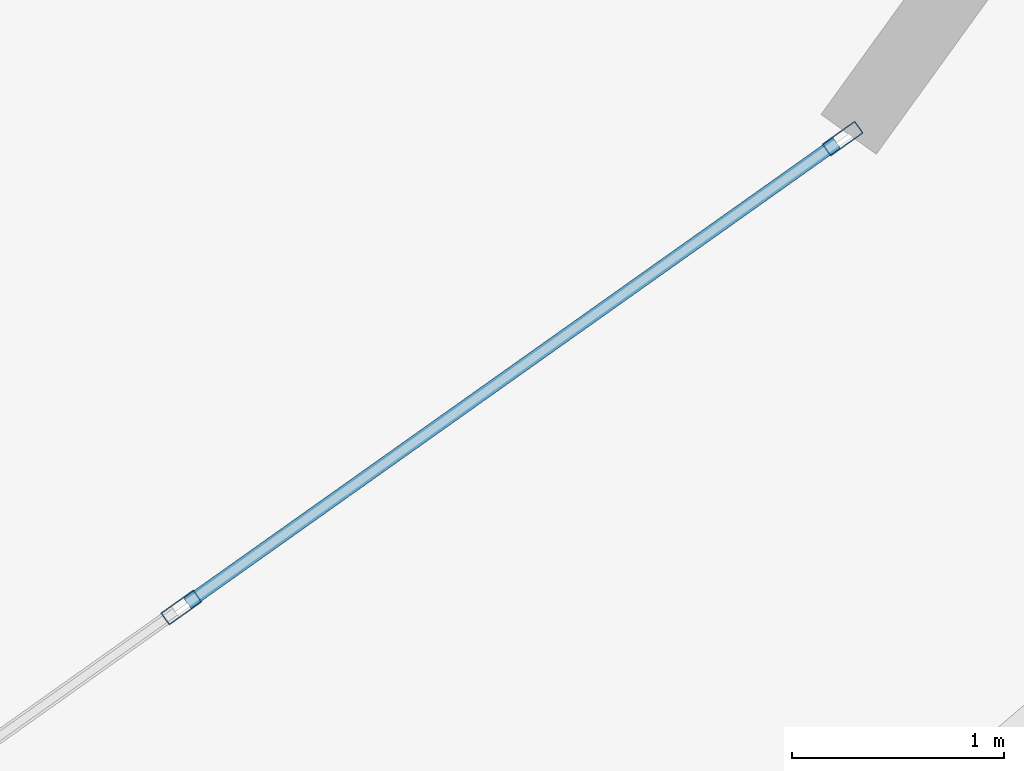
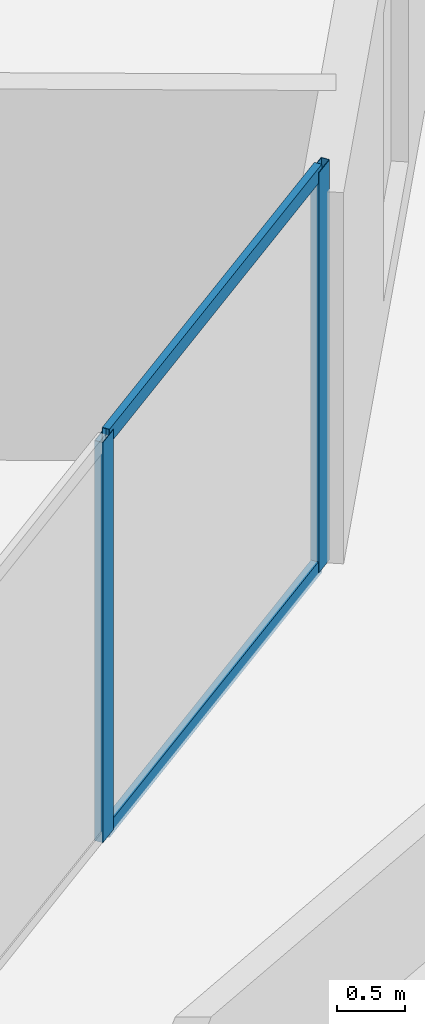
# One storey, part 9 of 25: 4 members, 1 element without a shape of its own.
"""IFC4 building model written with IfcOpenShell, lengths in metres."""

from ifc_helpers import new_model, si_unit, direction, frame, origin, origin_2d, place, context, subcontext, project, spatial, hollow_rectangle, extrude, source, transform, mapped, material, layer, layer_set, material_profile, profile_set, type_object, element, aggregate, save


model = new_model("IFC4")

# Units and contexts
model_context = context("Model", 3, precision=1e-05, world=origin(), true_north=direction((0.0, 1.0)))
body_context = subcontext(model_context, "Body", "Model", "MODEL_VIEW")
ifc_project = project(units=[si_unit("LENGTHUNIT", "METRE"), si_unit("AREAUNIT", "SQUARE_METRE"), si_unit("VOLUMEUNIT", "CUBIC_METRE"), si_unit("PLANEANGLEUNIT", "RADIAN"), si_unit("MASSUNIT", "GRAM", prefix="KILO")], contexts=[model_context])

# Site, building, storey
site_placement = place(None, origin())
site = spatial("IfcSite", under=ifc_project, at=site_placement, CompositionType="ELEMENT")
building_placement = place(site_placement, origin())
building = spatial("IfcBuilding", under=site, at=building_placement, Name="Solvirekh Grand Hotel", CompositionType="ELEMENT")
storey_placement = place(building_placement, frame((0.0, 0.0, 28.39990234375)))
storey = spatial("IfcBuildingStorey", under=building, at=storey_placement, Name="L05", CompositionType="ELEMENT", Elevation=28.39990234375)

# Curtain wall, members
ifc_material = material(Name="Anodized Bronze Aluminium 6063-T6", Category="aluminium")
ifc_layer = layer(ifc_material, 0.18994140625)
ifc_layer_set = layer_set([ifc_layer], Name="Anodized Bronze Aluminium 6063-T6")
curtain_wall_type = type_object("IfcCurtainWallType", Name="CW_Sys2_LowZoneFlushBronzeCW", PredefinedType="NOTDEFINED", material=ifc_layer_set)
curtain_wall_placement = place(storey_placement, origin())
curtain_wall = element("IfcCurtainWall", 1, at=curtain_wall_placement, inside=storey, type_object=curtain_wall_type, Name="L05 unitised bronze-glass curtain wall CW-L05-C18", PredefinedType="NOTDEFINED")
ifc_material_profile_1 = material_profile(ifc_material, hollow_rectangle(XDim=0.070068359375, YDim=0.18994140625, WallThickness=0.0048828125, at=origin_2d()), Name="ALU RHS 190X70X5")
ifc_profile_set_1 = profile_set([ifc_material_profile_1], Name="Anodized Bronze Aluminium 6063-T6")
member_type_1 = type_object("IfcMemberType", Name="CWMullion_Sys2", PredefinedType="MULLION", material=ifc_profile_set_1)
shared_shape_1 = source(origin(), body_context, "Body", "SweptSolid", [
    extrude(hollow_rectangle(XDim=0.070068359375, YDim=0.18994140625, WallThickness=0.0048828125, at=origin_2d()), origin(), (0.0, 0.0, 1.0), 3.60009765625),
])
member_1_placement = place(storey_placement, frame((18.935546875, -16.593017578125, 0.0), z_axis=(0.0, 0.0, 1.0), x_axis=(-0.578373813708, 0.815771862482, 0.0)))
member_1 = element("IfcMember", 2, at=member_1_placement, type_object=member_type_1, Name="U02 mullion 2", PredefinedType="MULLION", context=body_context, shape_type="MappedRepresentation", body=[
    mapped(shared_shape_1, transform((0.0, 0.0, 0.0), x_axis=(1.0, 0.0, 0.0), y_axis=(0.0, 1.0, 0.0), z_axis=(0.0, 0.0, 1.0), scale=1.0)),
])
member_2_placement = place(storey_placement, frame((22.049560546875, -14.38525390625, 0.0), z_axis=(0.0, 0.0, 1.0), x_axis=(-0.578373813708, 0.815771862482, 0.0)))
member_2 = element("IfcMember", 3, at=member_2_placement, type_object=member_type_1, Name="U02 mullion 3", PredefinedType="MULLION", context=body_context, shape_type="MappedRepresentation", body=[
    mapped(shared_shape_1, transform((0.0, 0.0, 0.0), x_axis=(1.0, 0.0, 0.0), y_axis=(0.0, 1.0, 0.0), z_axis=(0.0, 0.0, 1.0), scale=1.0)),
])
ifc_material_profile_2 = material_profile(ifc_material, hollow_rectangle(XDim=0.06005859375, YDim=0.135009765625, WallThickness=0.00390625, at=origin_2d()), Name="ALU RHS 135X60X4")
ifc_profile_set_2 = profile_set([ifc_material_profile_2], Name="Anodized Bronze Aluminium 6063-T6")
member_type_2 = type_object("IfcMemberType", Name="CWTransom_Sys2", PredefinedType="USERDEFINED", material=ifc_profile_set_2)
shared_shape_2 = source(origin(), body_context, "Body", "SweptSolid", [
    extrude(hollow_rectangle(XDim=0.06005859375, YDim=0.135009765625, WallThickness=0.00390625, at=origin_2d()), origin(), (0.0, 0.0, 1.0), 3.747314453125),
])
member_3_placement = place(storey_placement, frame((18.964111328125, -16.57275390625, 0.030029296875), z_axis=(0.815779839774, 0.57836256191, 0.0), x_axis=(-0.57836256191, 0.815779839774, 0.0)))
member_3 = element("IfcMember", 4, at=member_3_placement, type_object=member_type_2, Name="U02 transom 2.1", ObjectType="TRANSOM", PredefinedType="USERDEFINED", context=body_context, shape_type="MappedRepresentation", body=[
    mapped(shared_shape_2, transform((0.0, 0.0, 0.0), x_axis=(1.0, 0.0, 0.0), y_axis=(0.0, 1.0, 0.0), z_axis=(0.0, 0.0, 1.0), scale=1.0)),
])
member_4_placement = place(storey_placement, frame((18.964111328125, -16.57275390625, 3.570068359375), z_axis=(0.815779839774, 0.57836256191, 0.0), x_axis=(-0.57836256191, 0.815779839774, 0.0)))
member_4 = element("IfcMember", 5, at=member_4_placement, type_object=member_type_2, Name="U02 transom 2.2", ObjectType="TRANSOM", PredefinedType="USERDEFINED", context=body_context, shape_type="MappedRepresentation", body=[
    mapped(shared_shape_2, transform((0.0, 0.0, 0.0), x_axis=(1.0, 0.0, 0.0), y_axis=(0.0, 1.0, 0.0), z_axis=(0.0, 0.0, 1.0), scale=1.0)),
])
aggregate(curtain_wall, [member_1, member_2, member_3, member_4])

save(model, "model.ifc")
